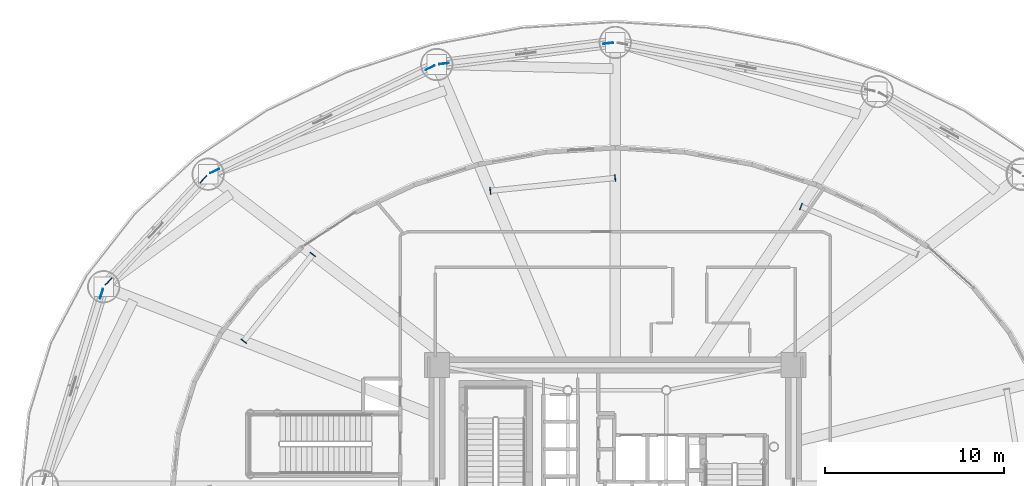
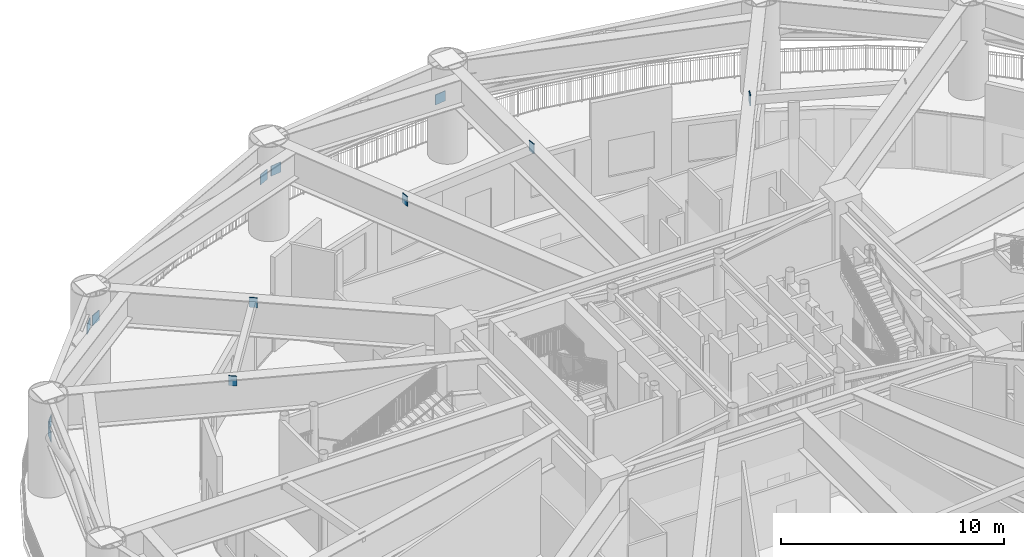
# One storey, part 20 of 39: 12 plates.
"""IFC4 building model written with IfcOpenShell, lengths in metres."""

from ifc_helpers import new_model, si_unit, direction, frame, origin, origin_2d, place, context, subcontext, project, spatial, rectangle, extrude, source, transform, mapped, material, layer, layer_set, type_object, element, save


model = new_model("IFC4")

# Units and contexts
model_context = context("Model", 3, precision=1e-05, world=origin(), true_north=direction((0.0, 1.0)))
body_context = subcontext(model_context, "Body", "Model", "MODEL_VIEW")
ifc_project = project(units=[si_unit("LENGTHUNIT", "METRE"), si_unit("AREAUNIT", "SQUARE_METRE"), si_unit("VOLUMEUNIT", "CUBIC_METRE"), si_unit("PLANEANGLEUNIT", "RADIAN"), si_unit("MASSUNIT", "GRAM", prefix="KILO")], contexts=[model_context])

# Site, building, storey
site_placement = place(None, origin())
site = spatial("IfcSite", under=ifc_project, at=site_placement, CompositionType="ELEMENT")
building_placement = place(site_placement, origin())
building = spatial("IfcBuilding", under=site, at=building_placement, Name="Linh Dai School and Residence Tower", CompositionType="ELEMENT")
storey_placement = place(building_placement, frame((0.0, 0.0, 27.0)))
storey = spatial("IfcBuildingStorey", under=building, at=storey_placement, Name="L06", CompositionType="ELEMENT", Elevation=27.0)

# Plates
ifc_material = material(Name="Structural Steel S355JR", Category="steel")
ifc_layer = layer(ifc_material, 0.0400390625)
ifc_layer_set = layer_set([ifc_layer], Name="Structural Steel S355JR")
plate_type = type_object("IfcPlateType", Name="PLT-GP1", PredefinedType="USERDEFINED", material=ifc_layer_set)
shared_shape_1 = source(origin(), body_context, "Body", "SweptSolid", [
    extrude(rectangle(XDim=0.0400390625, YDim=0.3798828125, at=origin_2d()), origin(), (0.0, 0.0, 1.0), 0.5400390625),
])
for number, where, z_axis, x_axis, name in (
    (1, (46.360107421875, 42.59619140625, 4.6298828125), (0.0, 0.0, 1.0), (-0.925232467292, 0.379400687228, 0.0), "L06 Secondary Beam End Plate 02B"),
    (2, (35.9951171875, 44.189453125, 4.6298828125), (0.0, 0.0, 1.0), (-0.994771705806, -0.102123715795, 0.0), "L06 Secondary Beam End Plate 03A"),
    (3, (29.03369140625, 43.474853515625, 4.6298828125), (0.0, 0.0, 1.0), (-0.994771705806, -0.102123715795, 0.0), "L06 Secondary Beam End Plate 03B"),
    (4, (19.128662109375, 39.923583984375, 4.6298828125), (0.0, 0.0, 1.0), (-0.622932610294, -0.78227550328, 0.0), "L06 Secondary Beam End Plate 04A"),
    (5, (15.274658203125, 35.083740234375, 4.6298828125), (0.0, 0.0, 1.0), (-0.622932610294, -0.78227550328, 0.0), "L06 Secondary Beam End Plate 04B"),
):
    element("IfcPlate", number, at=place(storey_placement, frame(where, z_axis=z_axis, x_axis=x_axis)), inside=storey, type_object=plate_type, Name=name, ObjectType="GUSSET PLATE", PredefinedType="USERDEFINED", context=body_context, shape_type="MappedRepresentation", body=[
        mapped(shared_shape_1, transform((0.0, 0.0, 0.0), x_axis=(1.0, 0.0, 0.0), y_axis=(0.0, 1.0, 0.0), z_axis=(0.0, 0.0, 1.0), scale=1.0)),
    ])
shared_shape_2 = source(origin(), body_context, "Body", "SweptSolid", [
    extrude(rectangle(XDim=0.550048828125, YDim=0.0400390625, at=origin_2d()), origin(), (0.0, 0.0, 1.0), 0.550048828125),
])
for number, where, z_axis, x_axis, name in (
    (6, (35.60302734375, 51.70068359375, 2.90283203125), (0.0, 0.0, 1.0), (-0.992399666572, -0.123056498355, 0.0), "L06 Belt Truss BT1 Root End Gusset 05A"),
    (7, (26.446044921875, 50.5654296875, 2.90283203125), (0.0, 0.0, 1.0), (-0.992399666572, -0.123056498355, 0.0), "L06 Belt Truss BT1 Root End Gusset 05B"),
    (8, (25.679443359375, 50.3388671875, 2.86767578125), (0.0, 0.0, 1.0), (-0.901703676692, -0.43235457606, 0.0), "L06 Belt Truss BT1 Root End Gusset 06A"),
    (9, (13.6640625, 44.57763671875, 2.86767578125), (0.0, 0.0, 1.0), (-0.901703676692, -0.43235457606, 0.0), "L06 Belt Truss BT1 Root End Gusset 06B"),
    (10, (13.027099609375, 44.1123046875, 2.921875), (0.0, 0.0, 1.0), (-0.680344757042, -0.732892223704, 0.0), "L06 Belt Truss BT1 Root End Gusset 07A"),
    (11, (7.734130859375, 38.410400390625, 2.921875), (0.0, 0.0, 1.0), (-0.680344757042, -0.732892223704, 0.0), "L06 Belt Truss BT1 Root End Gusset 07B"),
    (12, (7.347412109375, 37.73486328125, 2.88623046875), (0.0, 0.0, 1.0), (-0.293627886797, -0.955919800033, 0.0), "L06 Belt Truss BT1 Root End Gusset 08A"),
):
    element("IfcPlate", number, at=place(storey_placement, frame(where, z_axis=z_axis, x_axis=x_axis)), inside=storey, type_object=plate_type, Name=name, ObjectType="GUSSET PLATE", PredefinedType="USERDEFINED", context=body_context, shape_type="MappedRepresentation", body=[
        mapped(shared_shape_2, transform((0.0, 0.0, 0.0), x_axis=(1.0, 0.0, 0.0), y_axis=(0.0, 1.0, 0.0), z_axis=(0.0, 0.0, 1.0), scale=1.0)),
    ])

save(model, "model.ifc")
